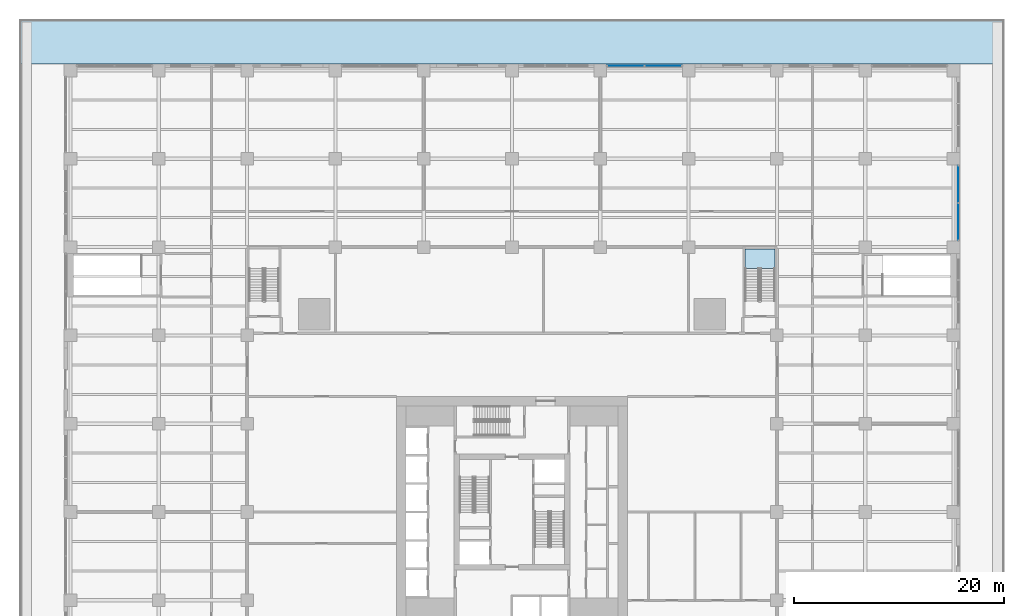
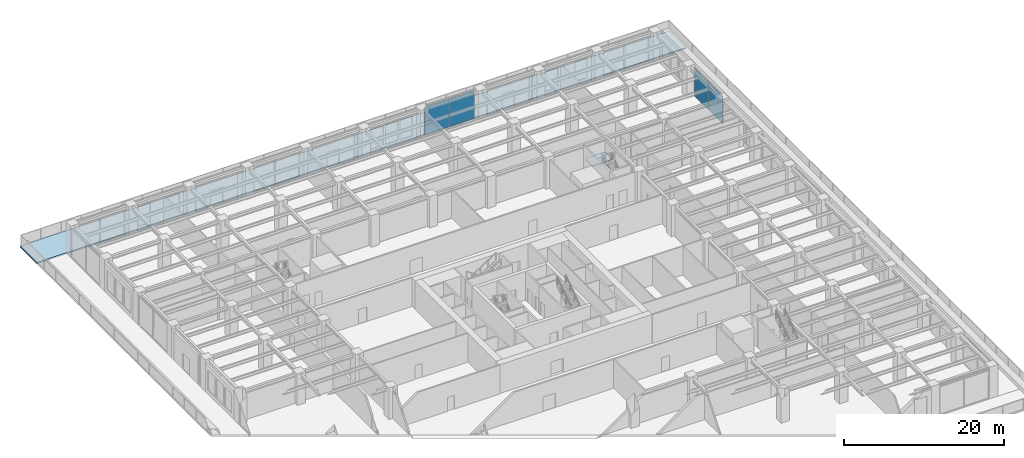
# One storey, part 33 of 53: 4 plates, 2 slabs, 3 elements without a shape of their own.
"""IFC4 building model written with IfcOpenShell, lengths in metres."""

from ifc_helpers import new_model, si_unit, direction, frame, origin, origin_2d, place, context, subcontext, project, spatial, polyline, rectangle, outline, extrude, material, layer, layer_set, type_object, element, aggregate, save


model = new_model("IFC4")

# Units and contexts
model_context = context("Model", 3, precision=1e-05, world=origin(), true_north=direction((0.0, 1.0)))
body_context = subcontext(model_context, "Body", "Model", "MODEL_VIEW")
ifc_project = project(units=[si_unit("LENGTHUNIT", "METRE"), si_unit("AREAUNIT", "SQUARE_METRE"), si_unit("VOLUMEUNIT", "CUBIC_METRE"), si_unit("PLANEANGLEUNIT", "RADIAN"), si_unit("MASSUNIT", "GRAM", prefix="KILO")], contexts=[model_context])

# Site, building, storey
site_placement = place(None, origin())
site = spatial("IfcSite", under=ifc_project, at=site_placement, CompositionType="ELEMENT")
building_placement = place(site_placement, origin())
building = spatial("IfcBuilding", under=site, at=building_placement, Name="Khepri Terraces", CompositionType="ELEMENT")
storey_placement = place(building_placement, frame((0.0, 0.0, 7.199951171875)))
storey = spatial("IfcBuildingStorey", under=building, at=storey_placement, Name="L01", CompositionType="ELEMENT", Elevation=7.199951171875)

# Curtain wall, plates
ifc_material_1 = material(Name="Anodised aluminium bronze curtain wall", Category="aluminium")
curtain_wall_type = type_object("IfcCurtainWallType", Name="CW-SYS2-PODIUM", PredefinedType="NOTDEFINED", material=ifc_material_1)
curtain_wall_1_placement = place(storey_placement, origin())
curtain_wall_1 = element("IfcCurtainWall", 1, at=curtain_wall_1_placement, inside=storey, type_object=curtain_wall_type, Name="Curtain wall CW2 L01 E", PredefinedType="NOTDEFINED")
ifc_material_2 = material(Name="Clear glass", Category="glass")
ifc_layer_1 = layer(ifc_material_2, 0.028076171875, Name="Clear glass", Category="glass")
ifc_layer_set_1 = layer_set([ifc_layer_1], Name="Clear glass")
plate_type = type_object("IfcPlateType", Name="CW-PANEL-VISION-28", PredefinedType="CURTAIN_PANEL", material=ifc_layer_set_1)
plate_1_placement = place(storey_placement, frame((42.449951171875, 27.614990234375, 0.06005859375), z_axis=(0.0, 0.0, 1.0), x_axis=(0.0, 1.0, 0.0)))
plate_1 = element("IfcPlate", 2, at=plate_1_placement, type_object=plate_type, Name="CW2 panel 1.1", PredefinedType="CURTAIN_PANEL", context=body_context, shape_type="SweptSolid", body=[
    extrude(rectangle(XDim=3.510009765625, YDim=0.028076171875, at=origin_2d()), origin(), (0.0, 0.0, 1.0), 4.260009765625),
])
plate_2_placement = place(storey_placement, frame((42.449951171875, 31.18505859375, 0.06005859375), z_axis=(0.0, 0.0, 1.0), x_axis=(0.0, 1.0, 0.0)))
plate_2 = element("IfcPlate", 3, at=plate_2_placement, type_object=plate_type, Name="CW2 panel 2.1", PredefinedType="CURTAIN_PANEL", context=body_context, shape_type="SweptSolid", body=[
    extrude(rectangle(XDim=3.510009765625, YDim=0.028076171875, at=origin_2d()), origin(), (0.0, 0.0, 1.0), 4.260009765625),
])
aggregate(curtain_wall_1, [plate_1, plate_2])

curtain_wall_2_placement = place(storey_placement, origin())
curtain_wall_2 = element("IfcCurtainWall", 4, at=curtain_wall_2_placement, inside=storey, type_object=curtain_wall_type, Name="Curtain wall CW2 L01 N", PredefinedType="NOTDEFINED")
plate_3_placement = place(storey_placement, frame((14.385009765625, 42.449951171875, 0.06005859375), z_axis=(0.0, 0.0, 1.0), x_axis=(-1.0, 0.0, 0.0)))
plate_3 = element("IfcPlate", 5, at=plate_3_placement, type_object=plate_type, Name="CW2 panel 1.1", PredefinedType="CURTAIN_PANEL", context=body_context, shape_type="SweptSolid", body=[
    extrude(rectangle(XDim=3.510009765625, YDim=0.028076171875, at=origin_2d()), origin(), (0.0, 0.0, 1.0), 4.260009765625),
])
plate_4_placement = place(storey_placement, frame((10.81494140625, 42.449951171875, 0.06005859375), z_axis=(0.0, 0.0, 1.0), x_axis=(-1.0, 0.0, 0.0)))
plate_4 = element("IfcPlate", 6, at=plate_4_placement, type_object=plate_type, Name="CW2 panel 2.1", PredefinedType="CURTAIN_PANEL", context=body_context, shape_type="SweptSolid", body=[
    extrude(rectangle(XDim=3.510009765625, YDim=0.028076171875, at=origin_2d()), origin(), (0.0, 0.0, 1.0), 4.260009765625),
])
aggregate(curtain_wall_2, [plate_3, plate_4])

# Slab
ifc_material_3 = material(Name="Concrete C35/45", Category="concrete")
ifc_layer_2 = layer(ifc_material_3, 0.199951171875, Name="Concrete C35/45", Category="concrete")
ifc_layer_set_2 = layer_set([ifc_layer_2], Name="Concrete C35/45")
slab_type_1 = type_object("IfcSlabType", Name="Composite terrace slab 200", PredefinedType="ROOF", material=ifc_layer_set_2)
slab_1_placement = place(storey_placement, frame((0.0, 0.0, -0.199951171875)))
element("IfcSlab", 7, at=slab_1_placement, inside=storey, type_object=slab_type_1, Name="Terrace slab L01-podium-2", PredefinedType="ROOF", context=body_context, shape_type="SweptSolid", body=[
    extrude(outline(polyline([(46.800048828125, 46.800048828125), (46.800048828125, 42.60009765625), (42.60009765625, 42.60009765625), (-42.60009765625, 42.60009765625), (-46.800048828125, 42.60009765625), (-46.800048828125, 46.800048828125), (46.800048828125, 46.800048828125)])), origin(), (0.0, 0.0, 1.0), 0.199951171875),
])

# Stair, slab
ifc_material_4 = material(Name="Concrete C40/50", Category="concrete")
stair_type = type_object("IfcStairType", Name="ST-POD", PredefinedType="HALF_TURN_STAIR", material=ifc_material_4)
stair_placement = place(storey_placement, origin())
stair = element("IfcStair", 8, at=stair_placement, inside=storey, type_object=stair_type, Name="L01 Exit Stair PS-1", PredefinedType="HALF_TURN_STAIR")
ifc_layer_3 = layer(ifc_material_4, 0.199951171875, Name="Concrete C40/50", Category="concrete")
ifc_layer_set_3 = layer_set([ifc_layer_3], Name="Concrete C40/50")
slab_type_2 = type_object("IfcSlabType", Name="SL-POD", PredefinedType="LANDING", material=ifc_layer_set_3)
slab_2_placement = place(storey_placement, frame((0.0, 0.0, 2.199951171875)))
slab_2 = element("IfcSlab", 9, at=slab_2_placement, type_object=slab_type_2, Name="PS-1 landing 1", PredefinedType="LANDING", context=body_context, shape_type="SweptSolid", body=[
    extrude(outline(polyline([(25.0, 23.169921875), (25.0, 25.0400390625), (22.14990234375, 25.0400390625), (22.14990234375, 23.169921875), (25.0, 23.169921875)])), origin(), (0.0, 0.0, 1.0), 0.2001953125),
])
aggregate(stair, [slab_2])

save(model, "model.ifc")
